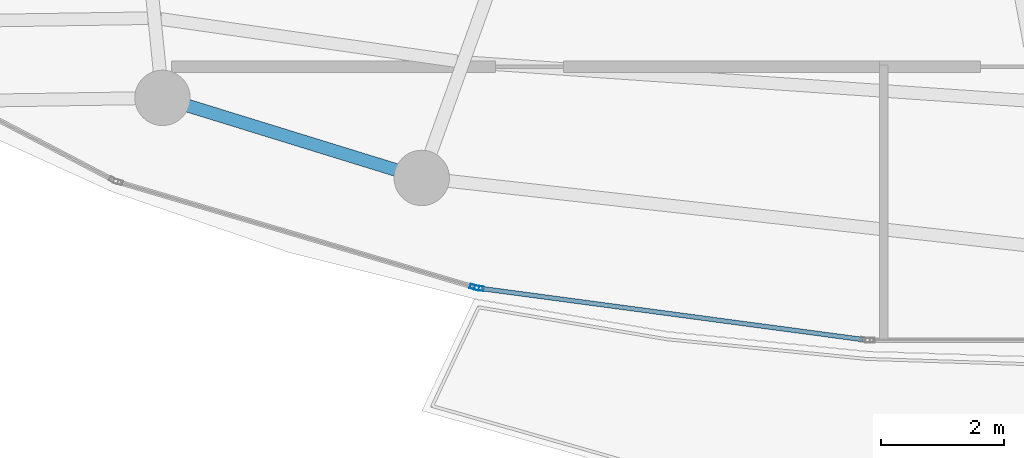
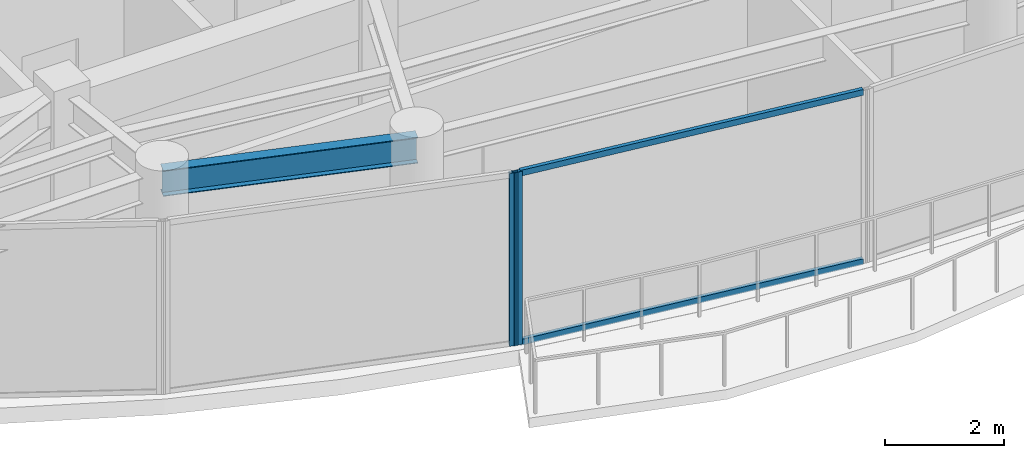
# One storey, part 5 of 29: 4 members, 1 beam, 2 elements without a shape of their own.
"""IFC4 building model written with IfcOpenShell, lengths in metres."""

from ifc_helpers import new_model, si_unit, direction, frame, origin, origin_2d, place, context, subcontext, project, spatial, hollow_rectangle, i_section, extrude, material, layer, layer_set, material_profile, profile_set, type_object, element, aggregate, save


model = new_model("IFC4")

# Units and contexts
model_context = context("Model", 3, precision=1e-05, world=origin(), true_north=direction((0.0, 1.0)))
body_context = subcontext(model_context, "Body", "Model", "MODEL_VIEW")
ifc_project = project(units=[si_unit("LENGTHUNIT", "METRE"), si_unit("AREAUNIT", "SQUARE_METRE"), si_unit("VOLUMEUNIT", "CUBIC_METRE"), si_unit("PLANEANGLEUNIT", "RADIAN"), si_unit("MASSUNIT", "GRAM", prefix="KILO")], contexts=[model_context])

# Site, building, storey
site_placement = place(None, origin())
site = spatial("IfcSite", under=ifc_project, at=site_placement, CompositionType="ELEMENT")
building_placement = place(site_placement, origin())
building = spatial("IfcBuilding", under=site, at=building_placement, Name="Kazevale Care Tower and Concert Hall", CompositionType="ELEMENT")
storey_placement = place(building_placement, frame((0.0, 0.0, 281.39990234375)))
storey = spatial("IfcBuildingStorey", under=building, at=storey_placement, Name="L74", CompositionType="ELEMENT", Elevation=281.39990234375)

# Curtain wall, member
ifc_material_1 = material(Name="Aluminium 6063-T6 and Low-E Glass", Category="aluminium")
ifc_layer = layer(ifc_material_1, 0.179931640625)
ifc_layer_set = layer_set([ifc_layer], Name="Aluminium 6063-T6 and Low-E Glass")
curtain_wall_type = type_object("IfcCurtainWallType", Name="Sheltered Concave Balcony Curtain Wall CW-5", PredefinedType="NOTDEFINED", material=ifc_layer_set)
curtain_wall_1_placement = place(storey_placement, origin())
curtain_wall_1 = element("IfcCurtainWall", 1, at=curtain_wall_1_placement, inside=storey, type_object=curtain_wall_type, Name="cw:L74:f07", PredefinedType="NOTDEFINED")
ifc_material_2 = material(Name="Aluminium 6063-T6", Category="aluminium")
ifc_material_profile_1 = material_profile(ifc_material_2, hollow_rectangle(XDim=0.074951171875, YDim=0.14990234375, WallThickness=0.00390625, at=origin_2d()), Name="ALU75x150x4")
ifc_profile_set_1 = profile_set([ifc_material_profile_1], Name="Aluminium 6063-T6")
member_type_1 = type_object("IfcMemberType", Name="CW-5 Mullion ALU75x150x4", PredefinedType="MULLION", material=ifc_profile_set_1)
member_1_placement = place(storey_placement, frame((35.43017578125, 17.629150390625, 0.0), z_axis=(0.0, 0.0, 1.0), x_axis=(-0.132542069018, -0.991177380664, 0.0)))
member_1 = element("IfcMember", 2, at=member_1_placement, type_object=member_type_1, Name="CW-5 mullion 2", PredefinedType="MULLION", context=body_context, shape_type="SweptSolid", body=[
    extrude(hollow_rectangle(XDim=0.074951171875, YDim=0.14990234375, WallThickness=0.00390625, at=origin_2d()), origin(), (0.0, 0.0, 1.0), 3.56005859375),
])

curtain_wall_2_placement = place(storey_placement, origin())
curtain_wall_2 = element("IfcCurtainWall", 3, at=curtain_wall_2_placement, inside=storey, type_object=curtain_wall_type, Name="cw:L74:f08", PredefinedType="NOTDEFINED")
member_2_placement = place(storey_placement, frame((35.35693359375, 17.64453125, 0.0), z_axis=(0.0, 0.0, 1.0), x_axis=(-0.283202506274, -0.959060133902, 0.0)))
member_2 = element("IfcMember", 4, at=member_2_placement, type_object=member_type_1, Name="CW-5 mullion 1", PredefinedType="MULLION", context=body_context, shape_type="SweptSolid", body=[
    extrude(hollow_rectangle(XDim=0.074951171875, YDim=0.14990234375, WallThickness=0.00390625, at=origin_2d()), origin(), (0.0, 0.0, 1.0), 3.56005859375),
])
aggregate(curtain_wall_2, [member_2])

# Member
ifc_material_profile_2 = material_profile(ifc_material_2, hollow_rectangle(XDim=0.074951171875, YDim=0.1201171875, WallThickness=0.00390625, at=origin_2d()), Name="ALU75x120x4")
ifc_profile_set_2 = profile_set([ifc_material_profile_2], Name="Aluminium 6063-T6")
member_type_2 = type_object("IfcMemberType", Name="CW-5 Transom ALU75x120x4", PredefinedType="USERDEFINED", material=ifc_profile_set_2)
member_3_placement = place(storey_placement, frame((41.667724609375, 16.794921875, 0.03759765625), z_axis=(-0.991178066261, 0.132536941884, 0.0), x_axis=(-0.132536941884, -0.991178066261, 0.0)))
member_3 = element("IfcMember", 5, at=member_3_placement, type_object=member_type_2, Name="CW-5 transom 1.1", ObjectType="TRANSOM", PredefinedType="USERDEFINED", context=body_context, shape_type="SweptSolid", body=[
    extrude(hollow_rectangle(XDim=0.074951171875, YDim=0.1201171875, WallThickness=0.00390625, at=origin_2d()), origin(), (0.0, 0.0, 1.0), 6.255615234375),
])

member_4_placement = place(storey_placement, frame((41.667724609375, 16.794921875, 3.522705078125), z_axis=(-0.991178066261, 0.132536941884, 0.0), x_axis=(-0.132536941884, -0.991178066261, 0.0)))
member_4 = element("IfcMember", 6, at=member_4_placement, type_object=member_type_2, Name="CW-5 transom 1.2", ObjectType="TRANSOM", PredefinedType="USERDEFINED", context=body_context, shape_type="SweptSolid", body=[
    extrude(hollow_rectangle(XDim=0.074951171875, YDim=0.1201171875, WallThickness=0.00390625, at=origin_2d()), origin(), (0.0, 0.0, 1.0), 6.255615234375),
])

aggregate(curtain_wall_1, [member_1, member_3, member_4])

# Beam
ifc_material_3 = material(Name="Steel ASTM A572 Gr 50", Category="steel")
ifc_material_profile_3 = material_profile(ifc_material_3, i_section(OverallWidth=0.208984375, OverallDepth=0.532958984375, WebThickness=0.01025390625, FlangeThickness=0.015625, at=origin_2d()), Name="W530x92")
ifc_profile_set_3 = profile_set([ifc_material_profile_3], Name="Steel ASTM A572 Gr 50")
beam_type = type_object("IfcBeamType", Name="Upper Ring Beam W530x92", PredefinedType="BEAM", material=ifc_profile_set_3)
beam_placement = place(storey_placement, frame((30.2900390625, 20.719970703125, 3.293701171875), z_axis=(0.955480204609, -0.295055212801, 0.0), x_axis=(0.295055212801, 0.955480204609, 0.0)))
element("IfcBeam", 7, at=beam_placement, inside=storey, type_object=beam_type, Name="beam:L74:ring:11", PredefinedType="BEAM", context=body_context, shape_type="SweptSolid", body=[
    extrude(i_section(OverallWidth=0.208984375, OverallDepth=0.532958984375, WebThickness=0.01025390625, FlangeThickness=0.015625, at=origin_2d()), origin(), (0.0, 0.0, 1.0), 4.406005859375),
])

save(model, "model.ifc")
